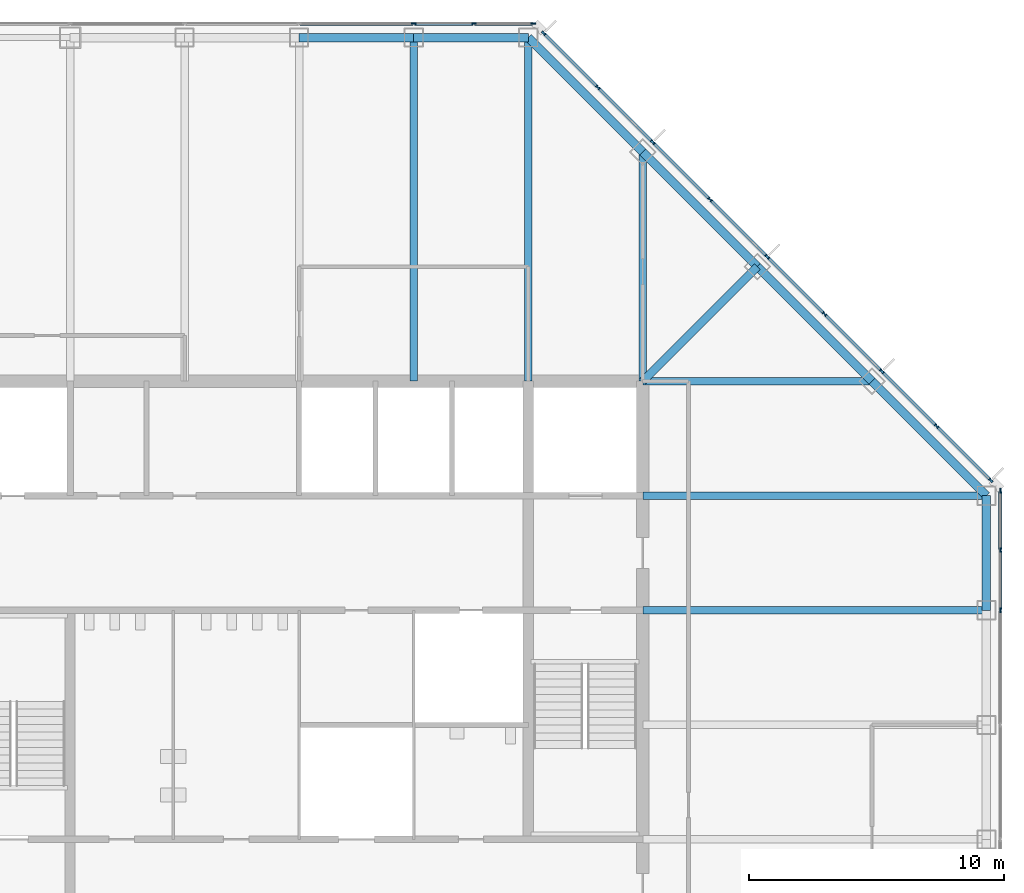
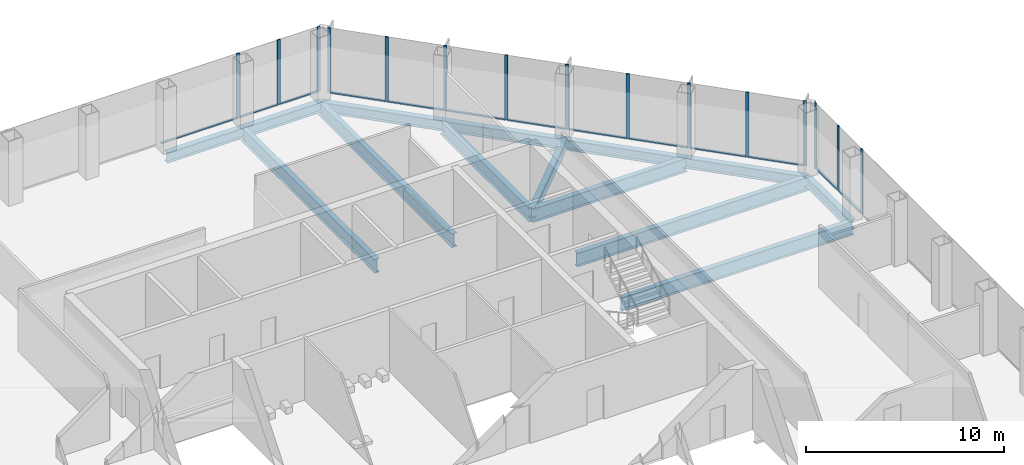
# One storey, part 6 of 12: 28 members, 14 beams, 3 elements without a shape of their own.
"""IFC4 building model written with IfcOpenShell, lengths in metres."""

from ifc_helpers import new_model, si_unit, direction, frame, origin, origin_2d, place, context, subcontext, project, spatial, rectangle, i_section, extrude, material, material_profile, profile_set, type_object, element, aggregate, save


model = new_model("IFC4")

# Units and contexts
model_context = context("Model", 3, precision=1e-05, world=origin(), true_north=direction((0.0, 1.0)))
body_context = subcontext(model_context, "Body", "Model", "MODEL_VIEW")
ifc_project = project(units=[si_unit("LENGTHUNIT", "METRE"), si_unit("AREAUNIT", "SQUARE_METRE"), si_unit("VOLUMEUNIT", "CUBIC_METRE"), si_unit("PLANEANGLEUNIT", "RADIAN"), si_unit("MASSUNIT", "GRAM", prefix="KILO")], contexts=[model_context])

# Site, building, storey
site_placement = place(None, origin())
site = spatial("IfcSite", under=ifc_project, at=site_placement, CompositionType="ELEMENT")
building_placement = place(site_placement, origin())
building = spatial("IfcBuilding", under=site, at=building_placement, Name="Corais Broadcast Tower", CompositionType="ELEMENT")
storey_placement = place(building_placement, frame((0.0, 0.0, 135.60009765625)))
storey = spatial("IfcBuildingStorey", under=building, at=storey_placement, Name="L30", CompositionType="ELEMENT", Elevation=135.60009765625)

# Beams
ifc_material_1 = material(Name="Steel ASTM A572 Grade 50", Category="steel")
ifc_material_profile_1 = material_profile(ifc_material_1, i_section(OverallWidth=0.323974609375, OverallDepth=0.611083984375, WebThickness=0.0126953125, FlangeThickness=0.01904296875, at=origin_2d()), Name="W610x155")
ifc_profile_set_1 = profile_set([ifc_material_profile_1], Name="Steel ASTM A572 Grade 50")
beam_type_1 = type_object("IfcBeamType", Name="Corner diagonal W610x155", PredefinedType="BEAM", material=ifc_profile_set_1)
beam_1_placement = place(storey_placement, frame((45.0, 45.0, -0.465576171875), z_axis=(-0.707106781187, -0.707106781187, 0.0), x_axis=(0.707106781187, -0.707106781187, 0.0)))
element("IfcBeam", 1, at=beam_1_placement, inside=storey, type_object=beam_type_1, Name="B6 L/13 to K/12", PredefinedType="BEAM", context=body_context, shape_type="SweptSolid", body=[
    extrude(i_section(OverallWidth=0.323974609375, OverallDepth=0.611083984375, WebThickness=0.0126953125, FlangeThickness=0.01904296875, at=origin_2d()), origin(), (0.0, 0.0, 1.0), 6.364013671875),
])
ifc_material_2 = material(Name="Steel ASTM A572 Grade 50", Category="steel")
ifc_material_profile_2 = material_profile(ifc_material_2, i_section(OverallWidth=0.2939453125, OverallDepth=0.85107421875, WebThickness=0.01611328125, FlangeThickness=0.02685546875, at=origin_2d()), Name="W840x226")
ifc_profile_set_2 = profile_set([ifc_material_profile_2], Name="Steel ASTM A572 Grade 50")
beam_type_2 = type_object("IfcBeamType", Name="Floor beam W840x226", PredefinedType="BEAM", material=ifc_profile_set_2)
for number, where, z_axis, x_axis, name in (
    (2, (31.5, 54.0, -0.585693359375), (0.0, -1.0, 0.0), (1.0, 0.0, 0.0), "B1 N/10 to K/10"),
    (3, (36.0, 54.0, -0.585693359375), (0.0, -1.0, 0.0), (1.0, 0.0, 0.0), "B1 N/11 to K/11"),
):
    element("IfcBeam", number, at=place(storey_placement, frame(where, z_axis=z_axis, x_axis=x_axis)), inside=storey, type_object=beam_type_2, Name=name, PredefinedType="BEAM", context=body_context, shape_type="SweptSolid", body=[
        extrude(i_section(OverallWidth=0.2939453125, OverallDepth=0.85107421875, WebThickness=0.01611328125, FlangeThickness=0.02685546875, at=origin_2d()), origin(), (0.0, 0.0, 1.0), 13.5),
    ])
for number, where, z_axis, x_axis, name in (
    (4, (40.5, 49.5, -0.585693359375), (0.0, -1.0, 0.0), (1.0, 0.0, 0.0), "B1 M/12 to K/12"),
    (5, (49.5, 40.5, -0.585693359375), (-1.0, 0.0, 0.0), (0.0, -1.0, 0.0), "B1 K/14 to K/12"),
):
    element("IfcBeam", number, at=place(storey_placement, frame(where, z_axis=z_axis, x_axis=x_axis)), inside=storey, type_object=beam_type_2, Name=name, PredefinedType="BEAM", context=body_context, shape_type="SweptSolid", body=[
        extrude(i_section(OverallWidth=0.2939453125, OverallDepth=0.85107421875, WebThickness=0.01611328125, FlangeThickness=0.02685546875, at=origin_2d()), origin(), (0.0, 0.0, 1.0), 9.0),
    ])
for number, where, z_axis, x_axis, name in (
    (6, (54.0, 31.5, -0.585693359375), (-1.0, 0.0, 0.0), (0.0, -1.0, 0.0), "B1 H/15 to H/12"),
    (7, (54.0, 36.0, -0.585693359375), (-1.0, 0.0, 0.0), (0.0, -1.0, 0.0), "B1 J/15 to J/12"),
):
    element("IfcBeam", number, at=place(storey_placement, frame(where, z_axis=z_axis, x_axis=x_axis)), inside=storey, type_object=beam_type_2, Name=name, PredefinedType="BEAM", context=body_context, shape_type="SweptSolid", body=[
        extrude(i_section(OverallWidth=0.2939453125, OverallDepth=0.85107421875, WebThickness=0.01611328125, FlangeThickness=0.02685546875, at=origin_2d()), origin(), (0.0, 0.0, 1.0), 13.5),
    ])

# Curtain wall, members
ifc_material_3 = material(Name="Aluminium and glass", Category="aluminium")
curtain_wall_type = type_object("IfcCurtainWallType", Name="Unitised fritted curtain wall CW2", PredefinedType="NOTDEFINED", material=ifc_material_3)
curtain_wall_1_placement = place(storey_placement, origin())
curtain_wall_1 = element("IfcCurtainWall", 8, at=curtain_wall_1_placement, inside=storey, type_object=curtain_wall_type, Name="CW2 curtain wall L30 4", PredefinedType="NOTDEFINED")
ifc_material_4 = material(Name="Aluminium 6063-T6", Category="aluminium")
ifc_material_profile_3 = material_profile(ifc_material_4, rectangle(XDim=0.06494140625, YDim=0.179931640625, at=origin_2d()), Name="Mullion CW2 65x180")
ifc_profile_set_3 = profile_set([ifc_material_profile_3], Name="Aluminium 6063-T6")
member_type_1 = type_object("IfcMemberType", Name="Mullion CW2 65x180", PredefinedType="MULLION", material=ifc_profile_set_3)
member_1_placement = place(storey_placement, frame((31.5, 54.550048828125, 0.0), z_axis=(0.0, 0.0, 1.0), x_axis=(0.0, 1.0, 0.0)))
member_1 = element("IfcMember", 9, at=member_1_placement, type_object=member_type_1, Name="CW2 mullion 7", PredefinedType="MULLION", context=body_context, shape_type="SweptSolid", body=[
    extrude(rectangle(XDim=0.06494140625, YDim=0.179931640625, at=origin_2d()), origin(), (0.0, 0.0, 1.0), 4.0),
])
member_2_placement = place(storey_placement, frame((33.864013671875, 54.550048828125, 0.0), z_axis=(0.0, 0.0, 1.0), x_axis=(0.0, 1.0, 0.0)))
member_2 = element("IfcMember", 10, at=member_2_placement, type_object=member_type_1, Name="CW2 mullion 8", PredefinedType="MULLION", context=body_context, shape_type="SweptSolid", body=[
    extrude(rectangle(XDim=0.06494140625, YDim=0.179931640625, at=origin_2d()), origin(), (0.0, 0.0, 1.0), 4.0),
])
member_3_placement = place(storey_placement, frame((36.1953125, 54.550048828125, 0.0), z_axis=(0.0, 0.0, 1.0), x_axis=(0.0, 1.0, 0.0)))
member_3 = element("IfcMember", 11, at=member_3_placement, type_object=member_type_1, Name="CW2 mullion 9", PredefinedType="MULLION", context=body_context, shape_type="SweptSolid", body=[
    extrude(rectangle(XDim=0.06494140625, YDim=0.179931640625, at=origin_2d()), origin(), (0.0, 0.0, 1.0), 4.0),
])

curtain_wall_2_placement = place(storey_placement, origin())
curtain_wall_2 = element("IfcCurtainWall", 12, at=curtain_wall_2_placement, inside=storey, type_object=curtain_wall_type, Name="CW2 curtain wall L30 5", PredefinedType="NOTDEFINED")
member_4_placement = place(storey_placement, frame((36.6044921875, 54.17333984375, 0.0), z_axis=(0.0, 0.0, 1.0), x_axis=(0.707106781187, 0.707106781187, 0.0)))
member_4 = element("IfcMember", 13, at=member_4_placement, type_object=member_type_1, Name="CW2 mullion 1", PredefinedType="MULLION", context=body_context, shape_type="SweptSolid", body=[
    extrude(rectangle(XDim=0.06494140625, YDim=0.179931640625, at=origin_2d()), origin(), (0.0, 0.0, 1.0), 4.0),
])
member_5_placement = place(storey_placement, frame((38.735107421875, 52.042724609375, 0.0), z_axis=(0.0, 0.0, 1.0), x_axis=(0.707106781187, 0.707106781187, 0.0)))
member_5 = element("IfcMember", 14, at=member_5_placement, type_object=member_type_1, Name="CW2 mullion 2", PredefinedType="MULLION", context=body_context, shape_type="SweptSolid", body=[
    extrude(rectangle(XDim=0.06494140625, YDim=0.179931640625, at=origin_2d()), origin(), (0.0, 0.0, 1.0), 4.0),
])
member_6_placement = place(storey_placement, frame((40.888916015625, 49.888916015625, 0.0), z_axis=(0.0, 0.0, 1.0), x_axis=(0.707106781187, 0.707106781187, 0.0)))
member_6 = element("IfcMember", 15, at=member_6_placement, type_object=member_type_1, Name="CW2 mullion 3", PredefinedType="MULLION", context=body_context, shape_type="SweptSolid", body=[
    extrude(rectangle(XDim=0.06494140625, YDim=0.179931640625, at=origin_2d()), origin(), (0.0, 0.0, 1.0), 4.0),
])
member_7_placement = place(storey_placement, frame((43.138916015625, 47.638916015625, 0.0), z_axis=(0.0, 0.0, 1.0), x_axis=(0.707106781187, 0.707106781187, 0.0)))
member_7 = element("IfcMember", 16, at=member_7_placement, type_object=member_type_1, Name="CW2 mullion 4", PredefinedType="MULLION", context=body_context, shape_type="SweptSolid", body=[
    extrude(rectangle(XDim=0.06494140625, YDim=0.179931640625, at=origin_2d()), origin(), (0.0, 0.0, 1.0), 4.0),
])
member_8_placement = place(storey_placement, frame((45.388916015625, 45.388916015625, 0.0), z_axis=(0.0, 0.0, 1.0), x_axis=(0.707106781187, 0.707106781187, 0.0)))
member_8 = element("IfcMember", 17, at=member_8_placement, type_object=member_type_1, Name="CW2 mullion 5", PredefinedType="MULLION", context=body_context, shape_type="SweptSolid", body=[
    extrude(rectangle(XDim=0.06494140625, YDim=0.179931640625, at=origin_2d()), origin(), (0.0, 0.0, 1.0), 4.0),
])
member_9_placement = place(storey_placement, frame((47.638916015625, 43.138916015625, 0.0), z_axis=(0.0, 0.0, 1.0), x_axis=(0.707106781187, 0.707106781187, 0.0)))
member_9 = element("IfcMember", 18, at=member_9_placement, type_object=member_type_1, Name="CW2 mullion 6", PredefinedType="MULLION", context=body_context, shape_type="SweptSolid", body=[
    extrude(rectangle(XDim=0.06494140625, YDim=0.179931640625, at=origin_2d()), origin(), (0.0, 0.0, 1.0), 4.0),
])
member_10_placement = place(storey_placement, frame((49.888916015625, 40.888916015625, 0.0), z_axis=(0.0, 0.0, 1.0), x_axis=(0.707106781187, 0.707106781187, 0.0)))
member_10 = element("IfcMember", 19, at=member_10_placement, type_object=member_type_1, Name="CW2 mullion 7", PredefinedType="MULLION", context=body_context, shape_type="SweptSolid", body=[
    extrude(rectangle(XDim=0.06494140625, YDim=0.179931640625, at=origin_2d()), origin(), (0.0, 0.0, 1.0), 4.0),
])
member_11_placement = place(storey_placement, frame((52.042724609375, 38.735107421875, 0.0), z_axis=(0.0, 0.0, 1.0), x_axis=(0.707106781187, 0.707106781187, 0.0)))
member_11 = element("IfcMember", 20, at=member_11_placement, type_object=member_type_1, Name="CW2 mullion 8", PredefinedType="MULLION", context=body_context, shape_type="SweptSolid", body=[
    extrude(rectangle(XDim=0.06494140625, YDim=0.179931640625, at=origin_2d()), origin(), (0.0, 0.0, 1.0), 4.0),
])
member_12_placement = place(storey_placement, frame((54.17333984375, 36.6044921875, 0.0), z_axis=(0.0, 0.0, 1.0), x_axis=(0.707106781187, 0.707106781187, 0.0)))
member_12 = element("IfcMember", 21, at=member_12_placement, type_object=member_type_1, Name="CW2 mullion 9", PredefinedType="MULLION", context=body_context, shape_type="SweptSolid", body=[
    extrude(rectangle(XDim=0.06494140625, YDim=0.179931640625, at=origin_2d()), origin(), (0.0, 0.0, 1.0), 4.0),
])

curtain_wall_3_placement = place(storey_placement, origin())
curtain_wall_3 = element("IfcCurtainWall", 22, at=curtain_wall_3_placement, inside=storey, type_object=curtain_wall_type, Name="CW2 curtain wall L30 6", PredefinedType="NOTDEFINED")
member_13_placement = place(storey_placement, frame((54.550048828125, 36.1953125, 0.0), z_axis=(0.0, 0.0, 1.0), x_axis=(1.0, 0.0, 0.0)))
member_13 = element("IfcMember", 23, at=member_13_placement, type_object=member_type_1, Name="CW2 mullion 1", PredefinedType="MULLION", context=body_context, shape_type="SweptSolid", body=[
    extrude(rectangle(XDim=0.06494140625, YDim=0.179931640625, at=origin_2d()), origin(), (0.0, 0.0, 1.0), 4.0),
])
member_14_placement = place(storey_placement, frame((54.550048828125, 33.864013671875, 0.0), z_axis=(0.0, 0.0, 1.0), x_axis=(1.0, 0.0, 0.0)))
member_14 = element("IfcMember", 24, at=member_14_placement, type_object=member_type_1, Name="CW2 mullion 2", PredefinedType="MULLION", context=body_context, shape_type="SweptSolid", body=[
    extrude(rectangle(XDim=0.06494140625, YDim=0.179931640625, at=origin_2d()), origin(), (0.0, 0.0, 1.0), 4.0),
])
member_15_placement = place(storey_placement, frame((54.550048828125, 31.5, 0.0), z_axis=(0.0, 0.0, 1.0), x_axis=(1.0, 0.0, 0.0)))
member_15 = element("IfcMember", 25, at=member_15_placement, type_object=member_type_1, Name="CW2 mullion 3", PredefinedType="MULLION", context=body_context, shape_type="SweptSolid", body=[
    extrude(rectangle(XDim=0.06494140625, YDim=0.179931640625, at=origin_2d()), origin(), (0.0, 0.0, 1.0), 4.0),
])

# Beams
ifc_material_5 = material(Name="Steel ASTM A572 Grade 50", Category="steel")
ifc_material_profile_4 = material_profile(ifc_material_5, i_section(OverallWidth=0.3291015625, OverallDepth=0.635009765625, WebThickness=0.017822265625, FlangeThickness=0.031005859375, at=origin_2d()), Name="W610x241")
ifc_profile_set_4 = profile_set([ifc_material_profile_4], Name="Steel ASTM A572 Grade 50")
beam_type_3 = type_object("IfcBeamType", Name="Spandrel W610x241", PredefinedType="BEAM", material=ifc_profile_set_4)
for number, where, z_axis, x_axis, name in (
    (26, (31.5, 54.0, -0.4775390625), (-1.0, 0.0, 0.0), (0.0, -1.0, 0.0), "SB1 N/10 to N/9"),
    (27, (36.0, 54.0, -0.4775390625), (-1.0, 0.0, 0.0), (0.0, -1.0, 0.0), "SB1 N/11 to N/10"),
):
    element("IfcBeam", number, at=place(storey_placement, frame(where, z_axis=z_axis, x_axis=x_axis)), inside=storey, type_object=beam_type_3, Name=name, PredefinedType="BEAM", context=body_context, shape_type="SweptSolid", body=[
        extrude(i_section(OverallWidth=0.3291015625, OverallDepth=0.635009765625, WebThickness=0.017822265625, FlangeThickness=0.031005859375, at=origin_2d()), origin(), (0.0, 0.0, 1.0), 4.5),
    ])
for number, where, z_axis, x_axis, name in (
    (28, (40.5, 49.5, -0.4775390625), (-0.707106781187, 0.707106781187, 0.0), (-0.707106781187, -0.707106781187, 0.0), "SB1 M/12 to N/11"),
    (29, (45.0, 45.0, -0.4775390625), (-0.707106781187, 0.707106781187, 0.0), (-0.707106781187, -0.707106781187, 0.0), "SB1 L/13 to M/12"),
    (30, (49.5, 40.5, -0.4775390625), (-0.707106781187, 0.707106781187, 0.0), (-0.707106781187, -0.707106781187, 0.0), "SB1 K/14 to L/13"),
):
    element("IfcBeam", number, at=place(storey_placement, frame(where, z_axis=z_axis, x_axis=x_axis)), inside=storey, type_object=beam_type_3, Name=name, PredefinedType="BEAM", context=body_context, shape_type="SweptSolid", body=[
        extrude(i_section(OverallWidth=0.3291015625, OverallDepth=0.635009765625, WebThickness=0.017822265625, FlangeThickness=0.031005859375, at=origin_2d()), origin(), (0.0, 0.0, 1.0), 6.364013671875),
    ])
beam_2_placement = place(storey_placement, frame((54.0, 31.5, -0.4775390625), z_axis=(0.0, 1.0, 0.0), x_axis=(-1.0, 0.0, 0.0)))
element("IfcBeam", 31, at=beam_2_placement, inside=storey, type_object=beam_type_3, Name="SB1 H/15 to J/15", PredefinedType="BEAM", context=body_context, shape_type="SweptSolid", body=[
    extrude(i_section(OverallWidth=0.3291015625, OverallDepth=0.635009765625, WebThickness=0.017822265625, FlangeThickness=0.031005859375, at=origin_2d()), origin(), (0.0, 0.0, 1.0), 4.5),
])
beam_3_placement = place(storey_placement, frame((54.0, 36.0, -0.4775390625), z_axis=(-0.707106781187, 0.707106781187, 0.0), x_axis=(-0.707106781187, -0.707106781187, 0.0)))
element("IfcBeam", 32, at=beam_3_placement, inside=storey, type_object=beam_type_3, Name="SB1 J/15 to K/14", PredefinedType="BEAM", context=body_context, shape_type="SweptSolid", body=[
    extrude(i_section(OverallWidth=0.3291015625, OverallDepth=0.635009765625, WebThickness=0.017822265625, FlangeThickness=0.031005859375, at=origin_2d()), origin(), (0.0, 0.0, 1.0), 6.364013671875),
])

# Member
ifc_material_6 = material(Name="Aluminium 6063-T6", Category="aluminium")
ifc_material_profile_5 = material_profile(ifc_material_6, rectangle(XDim=0.1298828125, YDim=0.06494140625, at=origin_2d()), Name="Transom CW2 65x130")
ifc_profile_set_5 = profile_set([ifc_material_profile_5], Name="Aluminium 6063-T6")
member_type_2 = type_object("IfcMemberType", Name="Transom CW2 65x130", PredefinedType="USERDEFINED", material=ifc_profile_set_5)
member_16_placement = place(storey_placement, frame((27.032470703125, 54.550048828125, 0.032470703125), z_axis=(1.0, 0.0, 0.0), x_axis=(0.0, 1.0, 0.0)))
member_16 = element("IfcMember", 33, at=member_16_placement, type_object=member_type_2, Name="CW2 transom 6.1", ObjectType="TRANSOM", PredefinedType="USERDEFINED", context=body_context, shape_type="SweptSolid", body=[
    extrude(rectangle(XDim=0.1298828125, YDim=0.06494140625, at=origin_2d()), origin(), (0.0, 0.0, 1.0), 4.43505859375),
])

member_17_placement = place(storey_placement, frame((31.532470703125, 54.550048828125, 0.032470703125), z_axis=(1.0, 0.0, 0.0), x_axis=(0.0, 1.0, 0.0)))
member_17 = element("IfcMember", 34, at=member_17_placement, type_object=member_type_2, Name="CW2 transom 7.1", ObjectType="TRANSOM", PredefinedType="USERDEFINED", context=body_context, shape_type="SweptSolid", body=[
    extrude(rectangle(XDim=0.1298828125, YDim=0.06494140625, at=origin_2d()), origin(), (0.0, 0.0, 1.0), 2.298828125),
])

member_18_placement = place(storey_placement, frame((33.896484375, 54.550048828125, 0.032470703125), z_axis=(1.0, 0.0, 0.0), x_axis=(0.0, 1.0, 0.0)))
member_18 = element("IfcMember", 35, at=member_18_placement, type_object=member_type_2, Name="CW2 transom 8.1", ObjectType="TRANSOM", PredefinedType="USERDEFINED", context=body_context, shape_type="SweptSolid", body=[
    extrude(rectangle(XDim=0.1298828125, YDim=0.06494140625, at=origin_2d()), origin(), (0.0, 0.0, 1.0), 2.266357421875),
])

aggregate(curtain_wall_1, [member_1, member_2, member_3, member_16, member_17, member_18])

member_19_placement = place(storey_placement, frame((36.62744140625, 54.150390625, 0.032470703125), z_axis=(0.707106781187, -0.707106781187, 0.0), x_axis=(0.707106781187, 0.707106781187, 0.0)))
member_19 = element("IfcMember", 36, at=member_19_placement, type_object=member_type_2, Name="CW2 transom 1.1", ObjectType="TRANSOM", PredefinedType="USERDEFINED", context=body_context, shape_type="SweptSolid", body=[
    extrude(rectangle(XDim=0.1298828125, YDim=0.06494140625, at=origin_2d()), origin(), (0.0, 0.0, 1.0), 2.9482421875),
])

member_20_placement = place(storey_placement, frame((38.758056640625, 52.019775390625, 0.032470703125), z_axis=(0.707106781187, -0.707106781187, 0.0), x_axis=(0.707106781187, 0.707106781187, 0.0)))
member_20 = element("IfcMember", 37, at=member_20_placement, type_object=member_type_2, Name="CW2 transom 2.1", ObjectType="TRANSOM", PredefinedType="USERDEFINED", context=body_context, shape_type="SweptSolid", body=[
    extrude(rectangle(XDim=0.1298828125, YDim=0.06494140625, at=origin_2d()), origin(), (0.0, 0.0, 1.0), 2.98095703125),
])

member_21_placement = place(storey_placement, frame((40.911865234375, 49.865966796875, 0.032470703125), z_axis=(0.707106781187, -0.707106781187, 0.0), x_axis=(0.707106781187, 0.707106781187, 0.0)))
member_21 = element("IfcMember", 38, at=member_21_placement, type_object=member_type_2, Name="CW2 transom 3.1", ObjectType="TRANSOM", PredefinedType="USERDEFINED", context=body_context, shape_type="SweptSolid", body=[
    extrude(rectangle(XDim=0.1298828125, YDim=0.06494140625, at=origin_2d()), origin(), (0.0, 0.0, 1.0), 3.1171875),
])

member_22_placement = place(storey_placement, frame((43.161865234375, 47.615966796875, 0.032470703125), z_axis=(0.707106781187, -0.707106781187, 0.0), x_axis=(0.707106781187, 0.707106781187, 0.0)))
member_22 = element("IfcMember", 39, at=member_22_placement, type_object=member_type_2, Name="CW2 transom 4.1", ObjectType="TRANSOM", PredefinedType="USERDEFINED", context=body_context, shape_type="SweptSolid", body=[
    extrude(rectangle(XDim=0.1298828125, YDim=0.06494140625, at=origin_2d()), origin(), (0.0, 0.0, 1.0), 3.1171875),
])

member_23_placement = place(storey_placement, frame((45.411865234375, 45.365966796875, 0.032470703125), z_axis=(0.707106781187, -0.707106781187, 0.0), x_axis=(0.707106781187, 0.707106781187, 0.0)))
member_23 = element("IfcMember", 40, at=member_23_placement, type_object=member_type_2, Name="CW2 transom 5.1", ObjectType="TRANSOM", PredefinedType="USERDEFINED", context=body_context, shape_type="SweptSolid", body=[
    extrude(rectangle(XDim=0.1298828125, YDim=0.06494140625, at=origin_2d()), origin(), (0.0, 0.0, 1.0), 3.1171875),
])

member_24_placement = place(storey_placement, frame((47.661865234375, 43.115966796875, 0.032470703125), z_axis=(0.707106781187, -0.707106781187, 0.0), x_axis=(0.707106781187, 0.707106781187, 0.0)))
member_24 = element("IfcMember", 41, at=member_24_placement, type_object=member_type_2, Name="CW2 transom 6.1", ObjectType="TRANSOM", PredefinedType="USERDEFINED", context=body_context, shape_type="SweptSolid", body=[
    extrude(rectangle(XDim=0.1298828125, YDim=0.06494140625, at=origin_2d()), origin(), (0.0, 0.0, 1.0), 3.1171875),
])

member_25_placement = place(storey_placement, frame((49.911865234375, 40.865966796875, 0.032470703125), z_axis=(0.707065828661, -0.70714773134, 0.0), x_axis=(0.70714773134, 0.707065828661, 0.0)))
member_25 = element("IfcMember", 42, at=member_25_placement, type_object=member_type_2, Name="CW2 transom 7.1", ObjectType="TRANSOM", PredefinedType="USERDEFINED", context=body_context, shape_type="SweptSolid", body=[
    extrude(rectangle(XDim=0.1298828125, YDim=0.06494140625, at=origin_2d()), origin(), (0.0, 0.0, 1.0), 2.98095703125),
])

member_26_placement = place(storey_placement, frame((52.065673828125, 38.712158203125, 0.032470703125), z_axis=(0.707106781187, -0.707106781187, 0.0), x_axis=(0.707106781187, 0.707106781187, 0.0)))
member_26 = element("IfcMember", 43, at=member_26_placement, type_object=member_type_2, Name="CW2 transom 8.1", ObjectType="TRANSOM", PredefinedType="USERDEFINED", context=body_context, shape_type="SweptSolid", body=[
    extrude(rectangle(XDim=0.1298828125, YDim=0.06494140625, at=origin_2d()), origin(), (0.0, 0.0, 1.0), 2.9482421875),
])

aggregate(curtain_wall_2, [member_4, member_5, member_6, member_7, member_8, member_9, member_10, member_11, member_12, member_19, member_20, member_21, member_22, member_23, member_24, member_25, member_26])

member_27_placement = place(storey_placement, frame((54.550048828125, 36.162841796875, 0.032470703125), z_axis=(0.0, -1.0, 0.0), x_axis=(1.0, 0.0, 0.0)))
member_27 = element("IfcMember", 44, at=member_27_placement, type_object=member_type_2, Name="CW2 transom 1.1", ObjectType="TRANSOM", PredefinedType="USERDEFINED", context=body_context, shape_type="SweptSolid", body=[
    extrude(rectangle(XDim=0.1298828125, YDim=0.06494140625, at=origin_2d()), origin(), (0.0, 0.0, 1.0), 2.266357421875),
])

member_28_placement = place(storey_placement, frame((54.550048828125, 33.831298828125, 0.032470703125), z_axis=(0.0, -1.0, 0.0), x_axis=(1.0, 0.0, 0.0)))
member_28 = element("IfcMember", 45, at=member_28_placement, type_object=member_type_2, Name="CW2 transom 2.1", ObjectType="TRANSOM", PredefinedType="USERDEFINED", context=body_context, shape_type="SweptSolid", body=[
    extrude(rectangle(XDim=0.1298828125, YDim=0.06494140625, at=origin_2d()), origin(), (0.0, 0.0, 1.0), 2.298828125),
])

aggregate(curtain_wall_3, [member_13, member_14, member_15, member_27, member_28])

save(model, "model.ifc")
